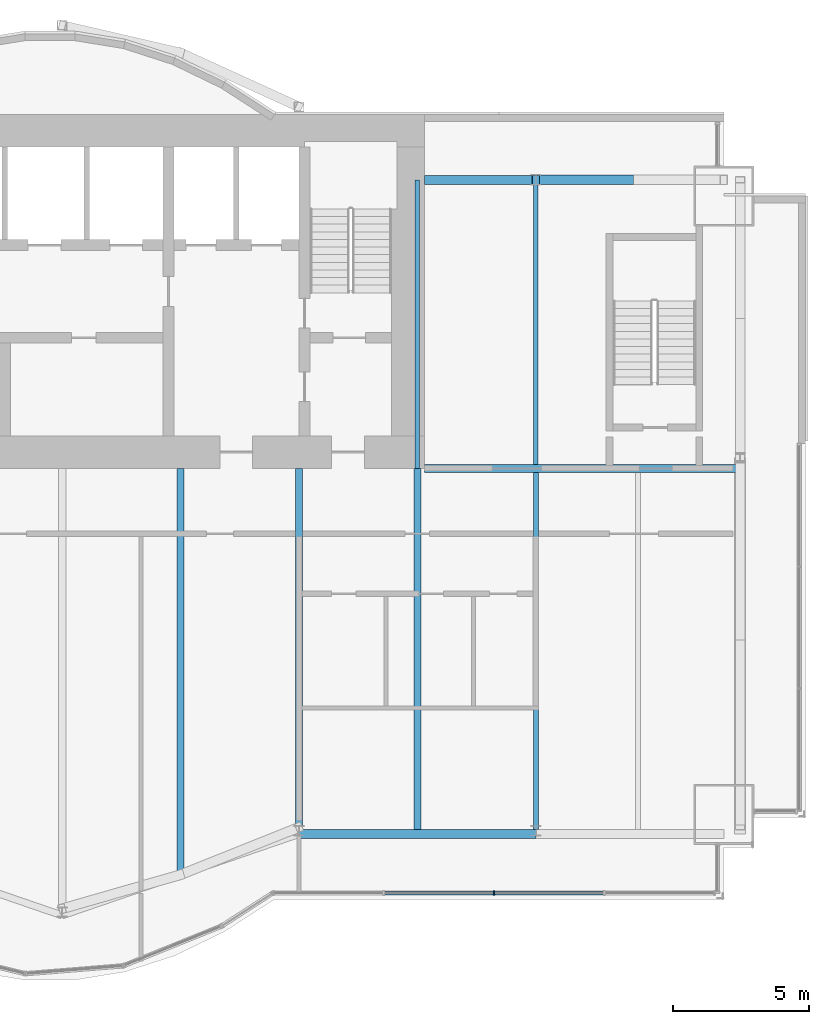
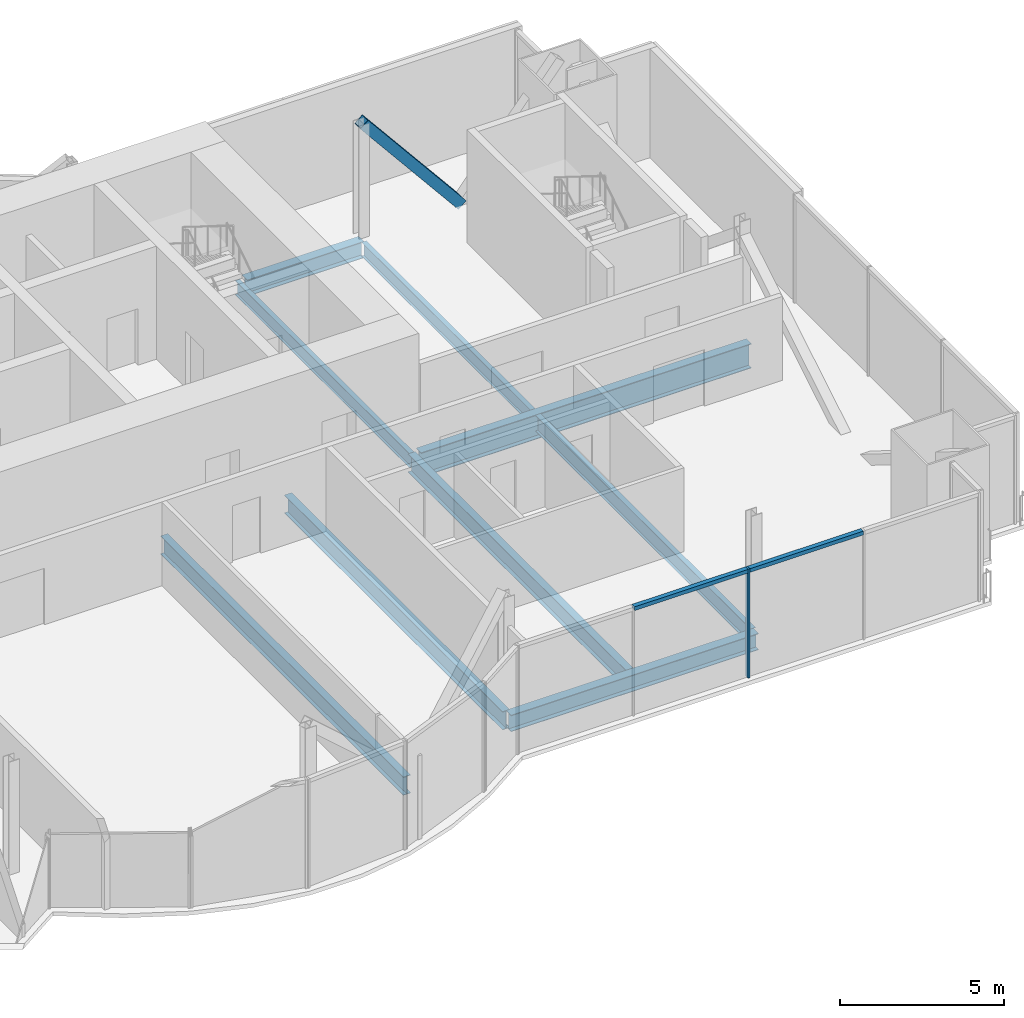
# One storey, part 9 of 19: 9 beams, 4 members, 1 element without a shape of its own.
"""IFC4 building model written with IfcOpenShell, lengths in metres."""

import ifcopenshell
import ifcopenshell.guid

model = None  # the IFC model being written
_history = None  # IfcOwnerHistory: only IFC2X3 demands one
_inside = {}  # id of a spatial element -> (the spatial element, [elements in it])
_under = {}  # id of a project, library or spatial element -> (it, [spatial elements below it])
_declared = {}  # id of a project -> (the project, [libraries it declares])
_typed = {}  # id of a type object -> (the type object, [elements of that type])
_made_of = {}  # id of a material, layer set ... -> (it, [elements and type objects made of it])


def new_model(schema):
    """Start an empty IFC model of exactly this schema.

    Asked for "IFC4X3", IfcOpenShell would pick the latest addendum, in which some entities
    have other attributes; the version numbers below select the first issue.
    IFC2X3 requires an IfcOwnerHistory on every rooted entity: one is made here for all.
    """
    global model, _history
    if schema == "IFC4X3":
        model = ifcopenshell.file(schema_version=(4, 3, 0, 0))
    else:
        model = ifcopenshell.file(schema=schema)
    _inside.clear()
    _under.clear()
    _declared.clear()
    _typed.clear()
    _made_of.clear()
    _history = None
    if model.schema == "IFC2X3":
        org = make("IfcOrganization", Name="unknown")
        user = make(
            "IfcPersonAndOrganization",
            ThePerson=make("IfcPerson", FamilyName="unknown"),
            TheOrganization=org,
        )
        app = make(
            "IfcApplication",
            ApplicationDeveloper=org,
            Version="unknown",
            ApplicationFullName="unknown",
            ApplicationIdentifier="unknown",
        )
        _history = make(
            "IfcOwnerHistory",
            OwningUser=user,
            OwningApplication=app,
            ChangeAction="ADDED",
            CreationDate=0,
        )
    return model


def make(cls, **values):
    """One entity of the class cls with the attributes given. An attribute that is None is left unset."""
    return model.create_entity(
        cls, **{name: value for name, value in values.items() if value is not None}
    )


def rooted(cls, **values):
    """An entity with a GlobalId (a new one), such as an element, a storey or a relation."""
    return make(cls, GlobalId=ifcopenshell.guid.new(), OwnerHistory=_history, **values)


def si_unit(unit_type, name, prefix=None):
    """IfcSIUnit, for example si_unit("LENGTHUNIT", "METRE", prefix="MILLI")."""
    return make("IfcSIUnit", UnitType=unit_type, Prefix=prefix, Name=name)


def assignment(units):
    """IfcUnitAssignment: the units of a project."""
    return None if units is None else make("IfcUnitAssignment", Units=units)


def point(xyz):
    """IfcCartesianPoint."""
    return None if xyz is None else make("IfcCartesianPoint", Coordinates=xyz)


def direction(xyz):
    """IfcDirection."""
    return None if xyz is None else make("IfcDirection", DirectionRatios=xyz)


def frame(location, z_axis=None, x_axis=None):
    """IfcAxis2Placement3D, a coordinate frame: its origin and axes. An axis left out is left unset."""
    return make(
        "IfcAxis2Placement3D",
        Location=point(location),
        Axis=direction(z_axis),
        RefDirection=direction(x_axis),
    )


def frame_2d(location, x_axis=None):
    """IfcAxis2Placement2D, a coordinate frame in the plane: its origin and x axis."""
    return make(
        "IfcAxis2Placement2D", Location=point(location), RefDirection=direction(x_axis)
    )


def origin():
    """The frame at (0, 0, 0) with its axes left unset."""
    return frame((0.0, 0.0, 0.0))


def origin_2d():
    """The frame at (0, 0) in the plane with its x axis left unset."""
    return frame_2d((0.0, 0.0))


def place(relative_to, where):
    """IfcLocalPlacement: puts the frame where relative to a parent placement (None: the world)."""
    return make(
        "IfcLocalPlacement", PlacementRelTo=relative_to, RelativePlacement=where
    )


def context(
    kind, dimensions, precision=None, world=None, true_north=None, identifier=None
):
    """IfcGeometricRepresentationContext, for example the 3D "Model" context."""
    return make(
        "IfcGeometricRepresentationContext",
        ContextIdentifier=identifier,
        ContextType=kind,
        CoordinateSpaceDimension=dimensions,
        Precision=precision,
        WorldCoordinateSystem=world,
        TrueNorth=true_north,
    )


def subcontext(parent, identifier, kind, view, scale=None):
    """IfcGeometricRepresentationSubContext, for example "Body" below "Model"."""
    return make(
        "IfcGeometricRepresentationSubContext",
        ContextIdentifier=identifier,
        ContextType=kind,
        ParentContext=parent,
        TargetScale=scale,
        TargetView=view,
    )


def project(units=None, contexts=None):
    """IfcProject with its units and contexts."""
    return rooted(
        "IfcProject",
        Name="project",
        RepresentationContexts=contexts,
        UnitsInContext=assignment(units),
    )


def spatial(cls, under=None, at=None, **own):
    """A site, building, storey or space (cls), placed at a placement, below another one or the project."""
    s = rooted(cls, ObjectPlacement=at, **own)
    if under is not None:
        _under.setdefault(under.id(), (under, []))[1].append(s)
    return s


def profile(cls, at=None, kind="AREA", **sizes):
    """A parametric profile (cls). Its sizes go by their IFC names, for example OverallWidth=200.0."""
    return make(cls, ProfileType=kind, Position=at, **sizes)


def rectangle(**sizes):
    """IfcRectangleProfileDef."""
    return profile("IfcRectangleProfileDef", **sizes)


def hollow_rectangle(**sizes):
    """IfcRectangleHollowProfileDef."""
    return profile("IfcRectangleHollowProfileDef", **sizes)


def i_section(**sizes):
    """IfcIShapeProfileDef."""
    return profile("IfcIShapeProfileDef", **sizes)


def extrude(swept, where, along, depth):
    """IfcExtrudedAreaSolid: the profile swept, set in the frame where, extruded along a direction by depth."""
    return make(
        "IfcExtrudedAreaSolid",
        SweptArea=swept,
        Position=where,
        ExtrudedDirection=direction(along),
        Depth=depth,
    )


def shape(context_of_items, identifier, shape_type, items):
    """IfcShapeRepresentation: the items that make up one representation, for example the "Body"."""
    return make(
        "IfcShapeRepresentation",
        ContextOfItems=context_of_items,
        RepresentationIdentifier=identifier,
        RepresentationType=shape_type,
        Items=items,
    )


def material(Name=None, Category=None):
    """IfcMaterial."""
    return make("IfcMaterial", Name=Name, Category=Category)


def material_profile(
    of_material, cross_section, Name=None, Category=None, Priority=None
):
    """IfcMaterialProfile: a cross section and its material."""
    return make(
        "IfcMaterialProfile",
        Name=Name,
        Material=of_material,
        Profile=cross_section,
        Priority=Priority,
        Category=Category,
    )


def profile_set(profiles, Name=None, composite=None):
    """IfcMaterialProfileSet."""
    return make(
        "IfcMaterialProfileSet",
        Name=Name,
        MaterialProfiles=profiles,
        CompositeProfile=composite,
    )


def made_of(thing, what):
    """Note that an element or type object is made of a material, layer set ...; save() writes the relation."""
    if what is not None:
        _made_of.setdefault(what.id(), (what, []))[1].append(thing)
    return thing


def type_object(cls, material=None, **own):
    """A type object (cls), such as IfcWallType, which elements share."""
    return made_of(rooted(cls, **own), material)


def element(
    cls,
    number,
    at=None,
    inside=None,
    cuts=None,
    type_object=None,
    material=None,
    context=None,
    identifier="Body",
    shape_type=None,
    held_by="IfcProductDefinitionShape",
    body=None,
    shapes=None,
    **own,
):
    """One element of the class cls, such as IfcWall. Its Tag is "e" and its number.

    at: its placement. inside: the storey or other place that contains it. cuts: it is an
    opening in that element (IfcRelVoidsElement). A single representation is given by context,
    identifier, shape_type and body (its items); several are given by shapes. held_by: the class
    of the entity that holds the representations. save() writes the other relations.
    """
    e = rooted(cls, Tag="e%d" % number, ObjectPlacement=at, **own)
    if body is not None:
        shapes = [shape(context, identifier, shape_type, body)]
    if shapes is not None:
        e.Representation = make(held_by, Representations=shapes)
    if inside is not None:
        _inside.setdefault(inside.id(), (inside, []))[1].append(e)
    if cuts is not None:
        rooted(
            "IfcRelVoidsElement", RelatingBuildingElement=cuts, RelatedOpeningElement=e
        )
    if type_object is not None:
        _typed.setdefault(type_object.id(), (type_object, []))[1].append(e)
    return made_of(e, material)


def aggregate(whole, parts):
    """IfcRelAggregates: a whole, such as a stair, and the parts it consists of."""
    return rooted("IfcRelAggregates", RelatingObject=whole, RelatedObjects=parts)


def save(model, path):
    """Write the relations noted so far, then the file.

    IfcRelAggregates (storeys below a building ...), IfcRelContainedInSpatialStructure (elements
    in a storey), IfcRelDefinesByType, IfcRelAssociatesMaterial and IfcRelDeclares: one each for
    every whole, place, type object, material and project.
    """
    for whole, parts in _under.values():
        aggregate(whole, parts)
    for where, things in _inside.values():
        rooted(
            "IfcRelContainedInSpatialStructure",
            RelatedElements=things,
            RelatingStructure=where,
        )
    for kind, things in _typed.values():
        rooted("IfcRelDefinesByType", RelatedObjects=things, RelatingType=kind)
    for what, things in _made_of.values():
        rooted("IfcRelAssociatesMaterial", RelatedObjects=things, RelatingMaterial=what)
    for by, libraries in _declared.values():
        rooted("IfcRelDeclares", RelatingContext=by, RelatedDefinitions=libraries)
    model.write(path)


model = new_model("IFC4")

# Units and contexts
model_context = context("Model", 3, precision=1e-05, world=origin(), true_north=direction((0.0, 1.0)))
body_context = subcontext(model_context, "Body", "Model", "MODEL_VIEW")
ifc_project = project(units=[si_unit("LENGTHUNIT", "METRE"), si_unit("AREAUNIT", "SQUARE_METRE"), si_unit("VOLUMEUNIT", "CUBIC_METRE"), si_unit("PLANEANGLEUNIT", "RADIAN"), si_unit("MASSUNIT", "GRAM", prefix="KILO")], contexts=[model_context])

# Site, building, storey
site_placement = place(None, origin())
site = spatial("IfcSite", under=ifc_project, at=site_placement, CompositionType="ELEMENT")
building_placement = place(site_placement, origin())
building = spatial("IfcBuilding", under=site, at=building_placement, Name="Bicima Exchange Tower", CompositionType="ELEMENT")
storey_placement = place(building_placement, frame((0.0, 0.0, 266.60009765625)))
storey = spatial("IfcBuildingStorey", under=building, at=storey_placement, Name="L60", CompositionType="ELEMENT", Elevation=266.60009765625)

# Beams
ifc_material_1 = material(Name="Steel ASTM A992 Gr 50", Category="steel")
ifc_material_profile_1 = material_profile(ifc_material_1, i_section(OverallWidth=0.3046875, OverallDepth=0.911865234375, WebThickness=0.015869140625, FlangeThickness=0.02392578125, at=origin_2d()))
ifc_profile_set_1 = profile_set([ifc_material_profile_1], Name="Steel ASTM A992 Gr 50")
beam_type_1 = type_object("IfcBeamType", Name="Core-line girder W36x150", PredefinedType="BEAM", material=ifc_profile_set_1)
beam_1_placement = place(storey_placement, frame((22.0, -13.0, -0.60595703125), z_axis=(1.0, 0.0, 0.0), x_axis=(0.0, 1.0, 0.0)))
element("IfcBeam", 1, at=beam_1_placement, inside=storey, type_object=beam_type_1, Name="Core-line girder", PredefinedType="BEAM", context=body_context, shape_type="SweptSolid", body=[
    extrude(i_section(OverallWidth=0.3046875, OverallDepth=0.911865234375, WebThickness=0.015869140625, FlangeThickness=0.02392578125, at=origin_2d()), origin(), (0.0, 0.0, 1.0), 11.60009765625),
])
ifc_material_profile_2 = material_profile(ifc_material_1, i_section(OverallWidth=0.165771484375, OverallDepth=0.5283203125, WebThickness=0.009765625, FlangeThickness=0.013671875, at=origin_2d()))
ifc_profile_set_2 = profile_set([ifc_material_profile_2], Name="Steel ASTM A992 Gr 50")
beam_type_2 = type_object("IfcBeamType", Name="Floor beam W21x50", PredefinedType="JOIST", material=ifc_profile_set_2)
beam_2_placement = place(storey_placement, frame((21.75, -2.39990234375, -0.414306640625), z_axis=(0.0, -1.0, 0.0), x_axis=(1.0, 0.0, 0.0)))
element("IfcBeam", 2, at=beam_2_placement, inside=storey, type_object=beam_type_2, Name="Floor beam", PredefinedType="JOIST", context=body_context, shape_type="SweptSolid", body=[
    extrude(i_section(OverallWidth=0.165771484375, OverallDepth=0.5283203125, WebThickness=0.009765625, FlangeThickness=0.013671875, at=origin_2d()), origin(), (0.0, 0.0, 1.0), 10.60009765625),
])
beam_3_placement = place(storey_placement, frame((26.10009765625, -2.5625, -0.414306640625), z_axis=(0.0, -1.0, 0.0), x_axis=(1.0, 0.0, 0.0)))
element("IfcBeam", 3, at=beam_3_placement, inside=storey, type_object=beam_type_2, Name="Floor beam", PredefinedType="JOIST", context=body_context, shape_type="SweptSolid", body=[
    extrude(i_section(OverallWidth=0.165771484375, OverallDepth=0.5283203125, WebThickness=0.009765625, FlangeThickness=0.013671875, at=origin_2d()), origin(), (0.0, 0.0, 1.0), 10.28515625),
])
ifc_material_profile_3 = material_profile(ifc_material_1, i_section(OverallWidth=0.177978515625, OverallDepth=0.599365234375, WebThickness=0.010009765625, FlangeThickness=0.012939453125, at=origin_2d()))
ifc_profile_set_3 = profile_set([ifc_material_profile_3], Name="Steel ASTM A992 Gr 50")
beam_type_3 = type_object("IfcBeamType", Name="Floor beam W24x55", PredefinedType="JOIST", material=ifc_profile_set_3)
beam_4_placement = place(storey_placement, frame((26.10009765625, -13.15234375, -0.44970703125), z_axis=(0.0, -1.0, 0.0), x_axis=(1.0, 0.0, 0.0)))
element("IfcBeam", 4, at=beam_4_placement, inside=storey, type_object=beam_type_3, Name="Floor beam", PredefinedType="JOIST", context=body_context, shape_type="SweptSolid", body=[
    extrude(i_section(OverallWidth=0.177978515625, OverallDepth=0.599365234375, WebThickness=0.010009765625, FlangeThickness=0.012939453125, at=origin_2d()), origin(), (0.0, 0.0, 1.0), 13.109130859375),
])
ifc_material_profile_4 = material_profile(ifc_material_1, i_section(OverallWidth=0.25390625, OverallDepth=0.67822265625, WebThickness=0.01171875, FlangeThickness=0.016357421875, at=origin_2d()))
ifc_profile_set_4 = profile_set([ifc_material_profile_4], Name="Steel ASTM A992 Gr 50")
beam_type_4 = type_object("IfcBeamType", Name="Floor beam W27x84", PredefinedType="JOIST", material=ifc_profile_set_4)
beam_5_placement = place(storey_placement, frame((13.050048828125, -13.0, -0.4892578125), z_axis=(0.0, -1.0, 0.0), x_axis=(1.0, 0.0, 0.0)))
element("IfcBeam", 5, at=beam_5_placement, inside=storey, type_object=beam_type_4, Name="Floor beam", PredefinedType="JOIST", context=body_context, shape_type="SweptSolid", body=[
    extrude(i_section(OverallWidth=0.25390625, OverallDepth=0.67822265625, WebThickness=0.01171875, FlangeThickness=0.016357421875, at=origin_2d()), origin(), (0.0, 0.0, 1.0), 14.783935546875),
])
beam_6_placement = place(storey_placement, frame((17.39990234375, -13.0, -0.4892578125), z_axis=(0.0, -1.0, 0.0), x_axis=(1.0, 0.0, 0.0)))
element("IfcBeam", 6, at=beam_6_placement, inside=storey, type_object=beam_type_4, Name="Floor beam", PredefinedType="JOIST", context=body_context, shape_type="SweptSolid", body=[
    extrude(i_section(OverallWidth=0.25390625, OverallDepth=0.67822265625, WebThickness=0.01171875, FlangeThickness=0.016357421875, at=origin_2d()), origin(), (0.0, 0.0, 1.0), 13.288330078125),
])
beam_7_placement = place(storey_placement, frame((21.75, -13.0, -0.4892578125), z_axis=(0.0, -1.0, 0.0), x_axis=(1.0, 0.0, 0.0)))
element("IfcBeam", 7, at=beam_7_placement, inside=storey, type_object=beam_type_4, Name="Floor beam", PredefinedType="JOIST", context=body_context, shape_type="SweptSolid", body=[
    extrude(i_section(OverallWidth=0.25390625, OverallDepth=0.67822265625, WebThickness=0.01171875, FlangeThickness=0.016357421875, at=origin_2d()), origin(), (0.0, 0.0, 1.0), 13.261474609375),
])
ifc_material_profile_5 = material_profile(ifc_material_1, i_section(OverallWidth=0.3251953125, OverallDepth=0.612060546875, WebThickness=0.0126953125, FlangeThickness=0.01904296875, at=origin_2d()))
ifc_profile_set_5 = profile_set([ifc_material_profile_5], Name="Steel ASTM A992 Gr 50")
beam_type_5 = type_object("IfcBeamType", Name="Front girder W24x104", PredefinedType="BEAM", material=ifc_profile_set_5)
beam_8_placement = place(storey_placement, frame((17.39990234375, -26.424072265625, -0.456298828125), z_axis=(1.0, 0.0, 0.0), x_axis=(0.0, 1.0, 0.0)))
element("IfcBeam", 8, at=beam_8_placement, inside=storey, type_object=beam_type_5, Name="Front girder", PredefinedType="BEAM", context=body_context, shape_type="SweptSolid", body=[
    extrude(i_section(OverallWidth=0.3251953125, OverallDepth=0.612060546875, WebThickness=0.0126953125, FlangeThickness=0.01904296875, at=origin_2d()), origin(), (0.0, 0.0, 1.0), 8.7001953125),
])

# Curtain wall, members
ifc_material_2 = material(Name="Anodised bronze aluminium", Category="aluminium")
curtain_wall_type = type_object("IfcCurtainWallType", Name="Front glass wall", PredefinedType="NOTDEFINED", material=ifc_material_2)
curtain_wall_placement = place(storey_placement, origin())
curtain_wall = element("IfcCurtainWall", 9, at=curtain_wall_placement, inside=storey, type_object=curtain_wall_type, Name="Front glass wall L60 run 16", PredefinedType="NOTDEFINED")
ifc_material_profile_6 = material_profile(ifc_material_2, rectangle(XDim=0.159912109375, YDim=0.06005859375, at=origin_2d()))
ifc_profile_set_6 = profile_set([ifc_material_profile_6], Name="Anodised bronze aluminium")
member_type_1 = type_object("IfcMemberType", Name="Front glass wall mullion 60 x 160", PredefinedType="MULLION", material=ifc_profile_set_6)
member_1_placement = place(storey_placement, frame((24.56103515625, -28.593994140625, 0.0), z_axis=(0.0, 0.0, 1.0), x_axis=(0.0, 1.0, 0.0)))
member_1 = element("IfcMember", 10, at=member_1_placement, type_object=member_type_1, Name="Front glass wall mullion 3", PredefinedType="MULLION", context=body_context, shape_type="SweptSolid", body=[
    extrude(rectangle(XDim=0.159912109375, YDim=0.06005859375, at=origin_2d()), origin(), (0.0, 0.0, 1.0), 4.0498046875),
])
ifc_material_profile_7 = material_profile(ifc_material_2, rectangle(XDim=0.159912109375, YDim=0.139892578125, at=origin_2d()))
ifc_profile_set_7 = profile_set([ifc_material_profile_7], Name="Anodised bronze aluminium")
member_type_2 = type_object("IfcMemberType", Name="Front glass wall transom 140 x 160", PredefinedType="USERDEFINED", material=ifc_profile_set_7)
member_2_placement = place(storey_placement, frame((20.54150390625, -28.593994140625, 3.97998046875), z_axis=(1.0, 0.0, 0.0), x_axis=(0.0, 1.0, 0.0)))
member_2 = element("IfcMember", 11, at=member_2_placement, type_object=member_type_2, Name="Front glass wall transom 2.1", ObjectType="TRANSOM", PredefinedType="USERDEFINED", context=body_context, shape_type="SweptSolid", body=[
    extrude(rectangle(XDim=0.159912109375, YDim=0.139892578125, at=origin_2d()), origin(), (0.0, 0.0, 1.0), 3.989501953125),
])
member_3_placement = place(storey_placement, frame((24.591064453125, -28.593994140625, 3.97998046875), z_axis=(1.0, 0.0, 0.0), x_axis=(0.0, 1.0, 0.0)))
member_3 = element("IfcMember", 12, at=member_3_placement, type_object=member_type_2, Name="Front glass wall transom 3.1", ObjectType="TRANSOM", PredefinedType="USERDEFINED", context=body_context, shape_type="SweptSolid", body=[
    extrude(rectangle(XDim=0.159912109375, YDim=0.139892578125, at=origin_2d()), origin(), (0.0, 0.0, 1.0), 3.989501953125),
])
aggregate(curtain_wall, [member_1, member_2, member_3])

# Member
ifc_material_3 = material(Name="Steel ASTM A572 Gr 50", Category="steel")
ifc_material_profile_8 = material_profile(ifc_material_3, hollow_rectangle(XDim=0.355712890625, YDim=0.355712890625, WallThickness=0.0146484375, at=origin_2d()))
ifc_profile_set_8 = profile_set([ifc_material_profile_8], Name="Steel ASTM A572 Gr 50")
member_type_3 = type_object("IfcMemberType", Name="Mega brace HSS14x14x5/8", PredefinedType="BRACE", material=ifc_profile_set_8)
member_4_placement = place(storey_placement, frame((29.550048828125, -2.39990234375, 0.0), z_axis=(-0.63473846547, 0.0, 0.772727041362), x_axis=(0.0, -1.0, 0.0)))
element("IfcMember", 13, at=member_4_placement, inside=storey, type_object=member_type_3, Name="Mega brace rear", PredefinedType="BRACE", context=body_context, shape_type="SweptSolid", body=[
    extrude(hollow_rectangle(XDim=0.355712890625, YDim=0.355712890625, WallThickness=0.0146484375, at=origin_2d()), origin(), (0.0, 0.0, 1.0), 5.435302734375),
])

# Beam
beam_type_6 = type_object("IfcBeamType", Name="Rear girder W24x104", PredefinedType="BEAM", material=ifc_profile_set_5)
beam_9_placement = place(storey_placement, frame((22.0, -2.39990234375, -0.456298828125), z_axis=(1.0, 0.0, 0.0), x_axis=(0.0, 1.0, 0.0)))
element("IfcBeam", 14, at=beam_9_placement, inside=storey, type_object=beam_type_6, Name="Rear girder", PredefinedType="BEAM", context=body_context, shape_type="SweptSolid", body=[
    extrude(i_section(OverallWidth=0.3251953125, OverallDepth=0.612060546875, WebThickness=0.0126953125, FlangeThickness=0.01904296875, at=origin_2d()), origin(), (0.0, 0.0, 1.0), 4.10009765625),
])

save(model, "model.ifc")
